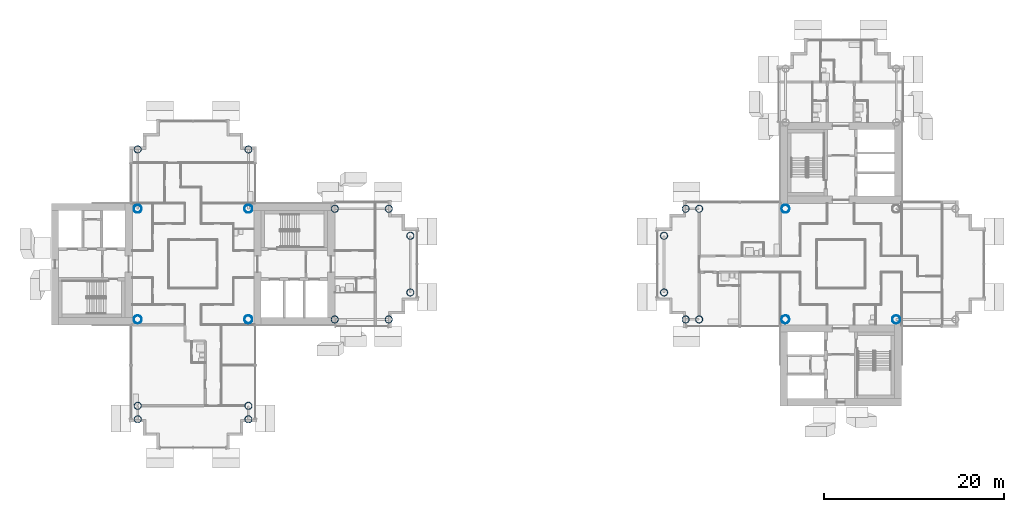
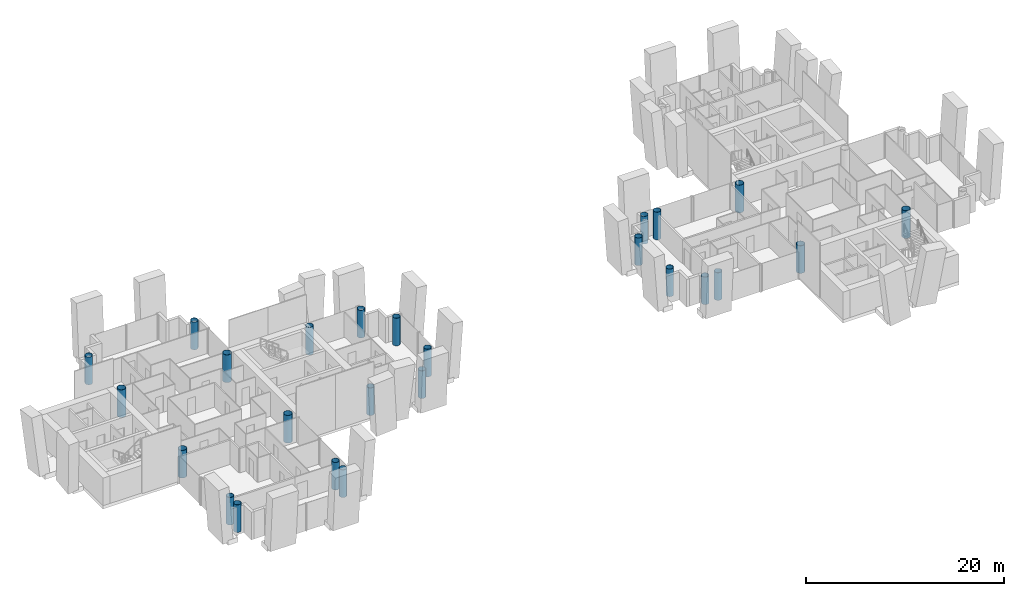
# One storey, part 1 of 18: 25 columns.
"""IFC4 building model written with IfcOpenShell, lengths in metres."""

from ifc_helpers import new_model, si_unit, direction, frame, origin, origin_2d, place, context, subcontext, project, spatial, hollow_circle, extrude, material, material_profile, profile_set, type_object, element, save


model = new_model("IFC4")

# Units and contexts
model_context = context("Model", 3, precision=1e-05, world=origin(), true_north=direction((0.0, 1.0)))
body_context = subcontext(model_context, "Body", "Model", "MODEL_VIEW")
ifc_project = project(units=[si_unit("LENGTHUNIT", "METRE"), si_unit("AREAUNIT", "SQUARE_METRE"), si_unit("VOLUMEUNIT", "CUBIC_METRE"), si_unit("PLANEANGLEUNIT", "RADIAN"), si_unit("MASSUNIT", "GRAM", prefix="KILO")], contexts=[model_context])

# Site, building, storey
site_placement = place(None, origin())
site = spatial("IfcSite", under=ifc_project, at=site_placement, CompositionType="ELEMENT")
building_placement = place(site_placement, origin())
building = spatial("IfcBuilding", under=site, at=building_placement, Name="Ipe Terrace Towers", CompositionType="ELEMENT")
storey_placement = place(building_placement, frame((0.0, 0.0, 164.300048828125)))
storey = spatial("IfcBuildingStorey", under=building, at=storey_placement, Name="L45", CompositionType="ELEMENT", Elevation=164.300048828125)

# Columns
ifc_material_1 = material(Name="Steel S355 tube with Concrete C60/75 fill", Category="concrete")
ifc_material_profile_1 = material_profile(ifc_material_1, hollow_circle(Radius=0.39990234375, WallThickness=0.028076171875, at=origin_2d()), Name="CHS-800x28")
ifc_profile_set_1 = profile_set([ifc_material_profile_1], Name="Steel S355 tube with Concrete C60/75 fill")
column_type_1 = type_object("IfcColumnType", Name="CH09 COLUMN CHS-800x28", PredefinedType="COLUMN", material=ifc_profile_set_1)
for number, where, z_axis, x_axis, name in (
    (1, (-20.25, -6.14990234375, 0.0), (0.0, 0.0, 1.0), (1.0, 0.0, 0.0), "Column T1-C-A01"),
    (2, (-20.25, 6.14990234375, 0.0), (0.0, 0.0, 1.0), (1.0, 0.0, 0.0), "Column T1-C-A02"),
    (3, (-14.25, -6.14990234375, 0.0), (0.0, 0.0, 1.0), (1.0, 0.0, 0.0), "Column T1-C-A03"),
    (4, (-14.25, 6.14990234375, 0.0), (0.0, 0.0, 1.0), (1.0, 0.0, 0.0), "Column T1-C-A04"),
    (5, (-11.85009765625, -3.14990234375, 0.0), (0.0, 0.0, 1.0), (1.0, 0.0, 0.0), "Column T1-C-A05"),
    (6, (-11.85009765625, 3.14990234375, 0.0), (0.0, 0.0, 1.0), (1.0, 0.0, 0.0), "Column T1-C-A06"),
    (7, (-29.85009765625, 12.75, 0.0), (0.0, 0.0, 1.0), (1.0, 0.0, 0.0), "Column T1-C-B01"),
    (8, (-42.14990234375, 12.75, 0.0), (0.0, 0.0, 1.0), (1.0, 0.0, 0.0), "Column T1-C-B02"),
    (9, (-42.14990234375, -15.75, 0.0), (0.0, 0.0, 1.0), (1.0, 0.0, 0.0), "Column T1-C-D03"),
    (10, (-29.85009765625, -15.75, 0.0), (0.0, 0.0, 1.0), (1.0, 0.0, 0.0), "Column T1-C-D04"),
    (11, (-42.14990234375, -17.25, 0.0), (0.0, 0.0, 1.0), (1.0, 0.0, 0.0), "Column T1-C-D05"),
    (12, (-29.85009765625, -17.25, 0.0), (0.0, 0.0, 1.0), (1.0, 0.0, 0.0), "Column T1-C-D06"),
    (13, (20.25, 6.14990234375, 0.0), (0.0, 0.0, 1.0), (1.0, 0.0, 0.0), "Column T2-C-B03"),
    (14, (20.25, -6.14990234375, 0.0), (0.0, 0.0, 1.0), (1.0, 0.0, 0.0), "Column T2-C-B04"),
    (15, (18.75, 6.14990234375, 0.0), (0.0, 0.0, 1.0), (1.0, 0.0, 0.0), "Column T2-C-B05"),
    (16, (18.75, -6.14990234375, 0.0), (0.0, 0.0, 1.0), (1.0, 0.0, 0.0), "Column T2-C-B06"),
    (17, (16.35009765625, 3.14990234375, 0.0), (0.0, 0.0, 1.0), (1.0, 0.0, 0.0), "Column T2-C-B07"),
    (18, (16.35009765625, -3.14990234375, 0.0), (0.0, 0.0, 1.0), (1.0, 0.0, 0.0), "Column T2-C-B08"),
):
    element("IfcColumn", number, at=place(storey_placement, frame(where, z_axis=z_axis, x_axis=x_axis)), inside=storey, type_object=column_type_1, Name=name, PredefinedType="COLUMN", context=body_context, shape_type="SweptSolid", body=[
        extrude(hollow_circle(Radius=0.39990234375, WallThickness=0.028076171875, at=origin_2d()), origin(), (0.0, 0.0, 1.0), 3.39990234375),
    ])
ifc_material_2 = material(Name="Steel S355 tube with Concrete C60/75 fill", Category="concrete")
ifc_material_profile_2 = material_profile(ifc_material_2, hollow_circle(Radius=0.449951171875, WallThickness=0.031982421875, at=origin_2d()), Name="CHS-900x32")
ifc_profile_set_2 = profile_set([ifc_material_profile_2], Name="Steel S355 tube with Concrete C60/75 fill")
column_type_2 = type_object("IfcColumnType", Name="CH10 COLUMN CHS-900x32", PredefinedType="COLUMN", material=ifc_profile_set_2)
for number, where, z_axis, x_axis, name in (
    (19, (-42.14990234375, -6.14990234375, 0.0), (0.0, 0.0, 1.0), (1.0, 0.0, 0.0), "Column T1-C-E01"),
    (20, (-29.85009765625, -6.14990234375, 0.0), (0.0, 0.0, 1.0), (1.0, 0.0, 0.0), "Column T1-C-E02"),
    (21, (-29.85009765625, 6.14990234375, 0.0), (0.0, 0.0, 1.0), (1.0, 0.0, 0.0), "Column T1-C-E03"),
    (22, (-42.14990234375, 6.14990234375, 0.0), (0.0, 0.0, 1.0), (1.0, 0.0, 0.0), "Column T1-C-E04"),
    (23, (42.14990234375, -6.14990234375, 0.0), (0.0, 0.0, 1.0), (1.0, 0.0, 0.0), "Column T2-C-E01"),
    (24, (29.85009765625, 6.14990234375, 0.0), (0.0, 0.0, 1.0), (1.0, 0.0, 0.0), "Column T2-C-E03"),
    (25, (29.85009765625, -6.14990234375, 0.0), (0.0, 0.0, 1.0), (1.0, 0.0, 0.0), "Column T2-C-E04"),
):
    element("IfcColumn", number, at=place(storey_placement, frame(where, z_axis=z_axis, x_axis=x_axis)), inside=storey, type_object=column_type_2, Name=name, PredefinedType="COLUMN", context=body_context, shape_type="SweptSolid", body=[
        extrude(hollow_circle(Radius=0.449951171875, WallThickness=0.031982421875, at=origin_2d()), origin(), (0.0, 0.0, 1.0), 3.39990234375),
    ])

save(model, "model.ifc")
